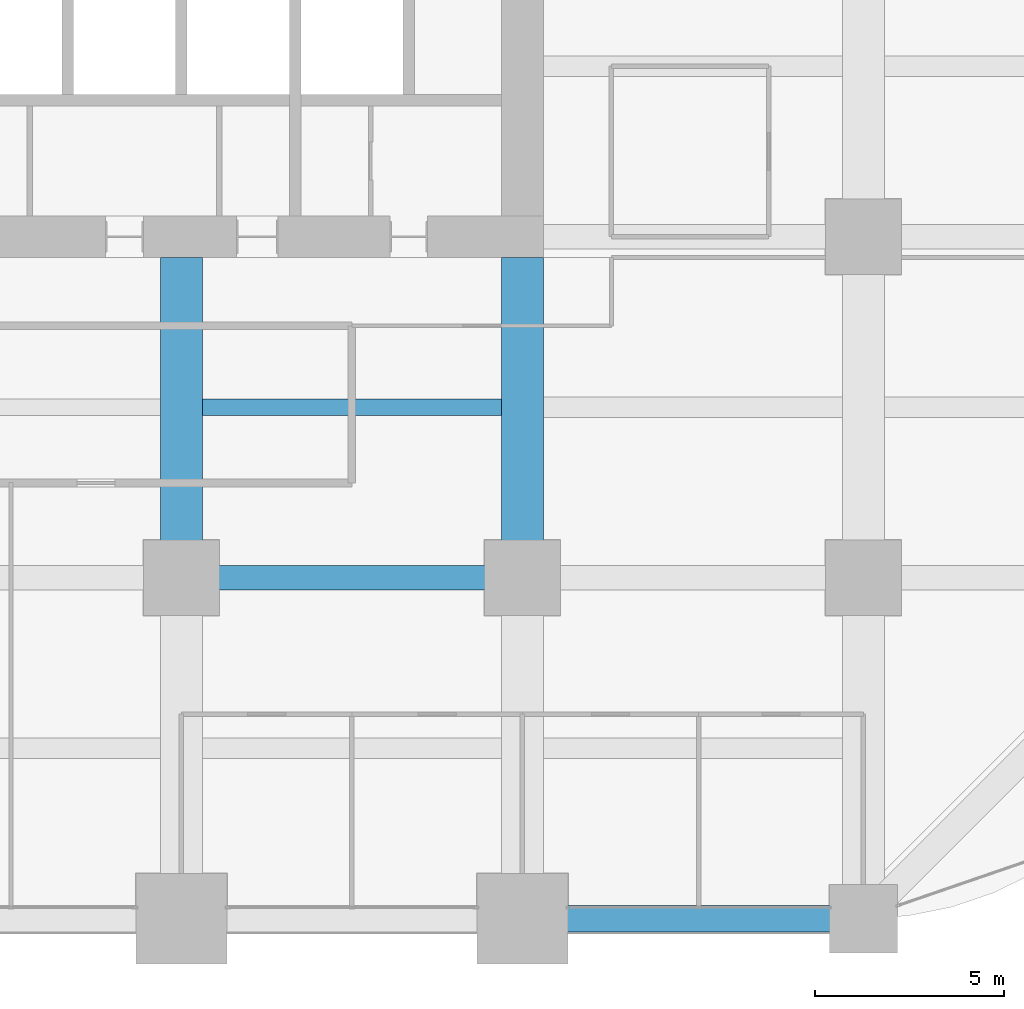
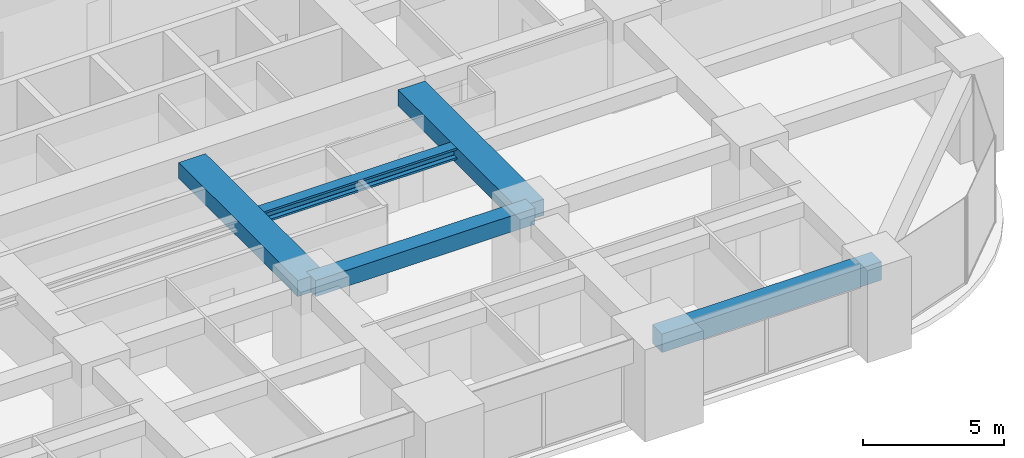
# One storey, part 15 of 41: 5 beams.
"""IFC4 building model written with IfcOpenShell, lengths in metres."""

import ifcopenshell
import ifcopenshell.guid

model = None  # the IFC model being written
_history = None  # IfcOwnerHistory: only IFC2X3 demands one
_inside = {}  # id of a spatial element -> (the spatial element, [elements in it])
_under = {}  # id of a project, library or spatial element -> (it, [spatial elements below it])
_declared = {}  # id of a project -> (the project, [libraries it declares])
_typed = {}  # id of a type object -> (the type object, [elements of that type])
_made_of = {}  # id of a material, layer set ... -> (it, [elements and type objects made of it])


def new_model(schema):
    """Start an empty IFC model of exactly this schema.

    Asked for "IFC4X3", IfcOpenShell would pick the latest addendum, in which some entities
    have other attributes; the version numbers below select the first issue.
    IFC2X3 requires an IfcOwnerHistory on every rooted entity: one is made here for all.
    """
    global model, _history
    if schema == "IFC4X3":
        model = ifcopenshell.file(schema_version=(4, 3, 0, 0))
    else:
        model = ifcopenshell.file(schema=schema)
    _inside.clear()
    _under.clear()
    _declared.clear()
    _typed.clear()
    _made_of.clear()
    _history = None
    if model.schema == "IFC2X3":
        org = make("IfcOrganization", Name="unknown")
        user = make(
            "IfcPersonAndOrganization",
            ThePerson=make("IfcPerson", FamilyName="unknown"),
            TheOrganization=org,
        )
        app = make(
            "IfcApplication",
            ApplicationDeveloper=org,
            Version="unknown",
            ApplicationFullName="unknown",
            ApplicationIdentifier="unknown",
        )
        _history = make(
            "IfcOwnerHistory",
            OwningUser=user,
            OwningApplication=app,
            ChangeAction="ADDED",
            CreationDate=0,
        )
    return model


def make(cls, **values):
    """One entity of the class cls with the attributes given. An attribute that is None is left unset."""
    return model.create_entity(
        cls, **{name: value for name, value in values.items() if value is not None}
    )


def rooted(cls, **values):
    """An entity with a GlobalId (a new one), such as an element, a storey or a relation."""
    return make(cls, GlobalId=ifcopenshell.guid.new(), OwnerHistory=_history, **values)


def si_unit(unit_type, name, prefix=None):
    """IfcSIUnit, for example si_unit("LENGTHUNIT", "METRE", prefix="MILLI")."""
    return make("IfcSIUnit", UnitType=unit_type, Prefix=prefix, Name=name)


def assignment(units):
    """IfcUnitAssignment: the units of a project."""
    return None if units is None else make("IfcUnitAssignment", Units=units)


def point(xyz):
    """IfcCartesianPoint."""
    return None if xyz is None else make("IfcCartesianPoint", Coordinates=xyz)


def direction(xyz):
    """IfcDirection."""
    return None if xyz is None else make("IfcDirection", DirectionRatios=xyz)


def frame(location, z_axis=None, x_axis=None):
    """IfcAxis2Placement3D, a coordinate frame: its origin and axes. An axis left out is left unset."""
    return make(
        "IfcAxis2Placement3D",
        Location=point(location),
        Axis=direction(z_axis),
        RefDirection=direction(x_axis),
    )


def frame_2d(location, x_axis=None):
    """IfcAxis2Placement2D, a coordinate frame in the plane: its origin and x axis."""
    return make(
        "IfcAxis2Placement2D", Location=point(location), RefDirection=direction(x_axis)
    )


def origin():
    """The frame at (0, 0, 0) with its axes left unset."""
    return frame((0.0, 0.0, 0.0))


def origin_2d():
    """The frame at (0, 0) in the plane with its x axis left unset."""
    return frame_2d((0.0, 0.0))


def place(relative_to, where):
    """IfcLocalPlacement: puts the frame where relative to a parent placement (None: the world)."""
    return make(
        "IfcLocalPlacement", PlacementRelTo=relative_to, RelativePlacement=where
    )


def context(
    kind, dimensions, precision=None, world=None, true_north=None, identifier=None
):
    """IfcGeometricRepresentationContext, for example the 3D "Model" context."""
    return make(
        "IfcGeometricRepresentationContext",
        ContextIdentifier=identifier,
        ContextType=kind,
        CoordinateSpaceDimension=dimensions,
        Precision=precision,
        WorldCoordinateSystem=world,
        TrueNorth=true_north,
    )


def subcontext(parent, identifier, kind, view, scale=None):
    """IfcGeometricRepresentationSubContext, for example "Body" below "Model"."""
    return make(
        "IfcGeometricRepresentationSubContext",
        ContextIdentifier=identifier,
        ContextType=kind,
        ParentContext=parent,
        TargetScale=scale,
        TargetView=view,
    )


def project(units=None, contexts=None):
    """IfcProject with its units and contexts."""
    return rooted(
        "IfcProject",
        Name="project",
        RepresentationContexts=contexts,
        UnitsInContext=assignment(units),
    )


def spatial(cls, under=None, at=None, **own):
    """A site, building, storey or space (cls), placed at a placement, below another one or the project."""
    s = rooted(cls, ObjectPlacement=at, **own)
    if under is not None:
        _under.setdefault(under.id(), (under, []))[1].append(s)
    return s


def profile(cls, at=None, kind="AREA", **sizes):
    """A parametric profile (cls). Its sizes go by their IFC names, for example OverallWidth=200.0."""
    return make(cls, ProfileType=kind, Position=at, **sizes)


def rectangle(**sizes):
    """IfcRectangleProfileDef."""
    return profile("IfcRectangleProfileDef", **sizes)


def i_section(**sizes):
    """IfcIShapeProfileDef."""
    return profile("IfcIShapeProfileDef", **sizes)


def extrude(swept, where, along, depth):
    """IfcExtrudedAreaSolid: the profile swept, set in the frame where, extruded along a direction by depth."""
    return make(
        "IfcExtrudedAreaSolid",
        SweptArea=swept,
        Position=where,
        ExtrudedDirection=direction(along),
        Depth=depth,
    )


def shape(context_of_items, identifier, shape_type, items):
    """IfcShapeRepresentation: the items that make up one representation, for example the "Body"."""
    return make(
        "IfcShapeRepresentation",
        ContextOfItems=context_of_items,
        RepresentationIdentifier=identifier,
        RepresentationType=shape_type,
        Items=items,
    )


def material(Name=None, Category=None):
    """IfcMaterial."""
    return make("IfcMaterial", Name=Name, Category=Category)


def material_profile(
    of_material, cross_section, Name=None, Category=None, Priority=None
):
    """IfcMaterialProfile: a cross section and its material."""
    return make(
        "IfcMaterialProfile",
        Name=Name,
        Material=of_material,
        Profile=cross_section,
        Priority=Priority,
        Category=Category,
    )


def profile_set(profiles, Name=None, composite=None):
    """IfcMaterialProfileSet."""
    return make(
        "IfcMaterialProfileSet",
        Name=Name,
        MaterialProfiles=profiles,
        CompositeProfile=composite,
    )


def made_of(thing, what):
    """Note that an element or type object is made of a material, layer set ...; save() writes the relation."""
    if what is not None:
        _made_of.setdefault(what.id(), (what, []))[1].append(thing)
    return thing


def type_object(cls, material=None, **own):
    """A type object (cls), such as IfcWallType, which elements share."""
    return made_of(rooted(cls, **own), material)


def element(
    cls,
    number,
    at=None,
    inside=None,
    cuts=None,
    type_object=None,
    material=None,
    context=None,
    identifier="Body",
    shape_type=None,
    held_by="IfcProductDefinitionShape",
    body=None,
    shapes=None,
    **own,
):
    """One element of the class cls, such as IfcWall. Its Tag is "e" and its number.

    at: its placement. inside: the storey or other place that contains it. cuts: it is an
    opening in that element (IfcRelVoidsElement). A single representation is given by context,
    identifier, shape_type and body (its items); several are given by shapes. held_by: the class
    of the entity that holds the representations. save() writes the other relations.
    """
    e = rooted(cls, Tag="e%d" % number, ObjectPlacement=at, **own)
    if body is not None:
        shapes = [shape(context, identifier, shape_type, body)]
    if shapes is not None:
        e.Representation = make(held_by, Representations=shapes)
    if inside is not None:
        _inside.setdefault(inside.id(), (inside, []))[1].append(e)
    if cuts is not None:
        rooted(
            "IfcRelVoidsElement", RelatingBuildingElement=cuts, RelatedOpeningElement=e
        )
    if type_object is not None:
        _typed.setdefault(type_object.id(), (type_object, []))[1].append(e)
    return made_of(e, material)


def aggregate(whole, parts):
    """IfcRelAggregates: a whole, such as a stair, and the parts it consists of."""
    return rooted("IfcRelAggregates", RelatingObject=whole, RelatedObjects=parts)


def save(model, path):
    """Write the relations noted so far, then the file.

    IfcRelAggregates (storeys below a building ...), IfcRelContainedInSpatialStructure (elements
    in a storey), IfcRelDefinesByType, IfcRelAssociatesMaterial and IfcRelDeclares: one each for
    every whole, place, type object, material and project.
    """
    for whole, parts in _under.values():
        aggregate(whole, parts)
    for where, things in _inside.values():
        rooted(
            "IfcRelContainedInSpatialStructure",
            RelatedElements=things,
            RelatingStructure=where,
        )
    for kind, things in _typed.values():
        rooted("IfcRelDefinesByType", RelatedObjects=things, RelatingType=kind)
    for what, things in _made_of.values():
        rooted("IfcRelAssociatesMaterial", RelatedObjects=things, RelatingMaterial=what)
    for by, libraries in _declared.values():
        rooted("IfcRelDeclares", RelatingContext=by, RelatedDefinitions=libraries)
    model.write(path)


model = new_model("IFC4")

# Units and contexts
model_context = context("Model", 3, precision=1e-05, world=origin(), true_north=direction((0.0, 1.0)))
body_context = subcontext(model_context, "Body", "Model", "MODEL_VIEW")
ifc_project = project(units=[si_unit("LENGTHUNIT", "METRE"), si_unit("AREAUNIT", "SQUARE_METRE"), si_unit("VOLUMEUNIT", "CUBIC_METRE"), si_unit("PLANEANGLEUNIT", "RADIAN"), si_unit("MASSUNIT", "GRAM", prefix="KILO")], contexts=[model_context])

# Site, building, storey
site_placement = place(None, origin())
site = spatial("IfcSite", under=ifc_project, at=site_placement, CompositionType="ELEMENT")
building_placement = place(site_placement, origin())
building = spatial("IfcBuilding", under=site, at=building_placement, Name="Zorevar Civic Tower", CompositionType="ELEMENT")
storey_placement = place(building_placement, frame((0.0, 0.0, 101.0)))
storey = spatial("IfcBuildingStorey", under=building, at=storey_placement, Name="L24", CompositionType="ELEMENT", Elevation=101.0)

# Beams
ifc_material_1 = material(Name="Concrete C50/60", Category="concrete")
ifc_material_profile_1 = material_profile(ifc_material_1, rectangle(XDim=1.10009765625, YDim=0.699951171875, at=origin_2d()), Name="RC 1100x700")
ifc_profile_set_1 = profile_set([ifc_material_profile_1], Name="Concrete C50/60")
beam_type_1 = type_object("IfcBeamType", Name="Beam RC 1100x700", PredefinedType="BEAM", material=ifc_profile_set_1)
for number, where, z_axis, x_axis, name in (
    (1, (36.0, 9.0, 3.39990234375), (0.0, 1.0, 0.0), (-1.0, 0.0, 0.0), "Girder L25"),
    (2, (45.0, 9.0, 3.39990234375), (0.0, 1.0, 0.0), (-1.0, 0.0, 0.0), "Girder L25"),
):
    element("IfcBeam", number, at=place(storey_placement, frame(where, z_axis=z_axis, x_axis=x_axis)), inside=storey, type_object=beam_type_1, Name=name, PredefinedType="BEAM", context=body_context, shape_type="SweptSolid", body=[
        extrude(rectangle(XDim=1.10009765625, YDim=0.699951171875, at=origin_2d()), origin(), (0.0, 0.0, 1.0), 8.449951171875),
    ])
ifc_material_2 = material(Name="Concrete C50/60", Category="concrete")
ifc_material_profile_2 = material_profile(ifc_material_2, rectangle(XDim=0.64990234375, YDim=0.699951171875, at=origin_2d()), Name="RC 650x700")
ifc_profile_set_2 = profile_set([ifc_material_profile_2], Name="Concrete C50/60")
beam_type_2 = type_object("IfcBeamType", Name="Beam RC 650x700", PredefinedType="BEAM", material=ifc_profile_set_2)
beam_1_placement = place(storey_placement, frame((36.0, 9.0, 3.39990234375), z_axis=(1.0, 0.0, 0.0), x_axis=(0.0, 1.0, 0.0)))
element("IfcBeam", 3, at=beam_1_placement, inside=storey, type_object=beam_type_2, Name="Girder L25", PredefinedType="BEAM", context=body_context, shape_type="SweptSolid", body=[
    extrude(rectangle(XDim=0.64990234375, YDim=0.699951171875, at=origin_2d()), origin(), (0.0, 0.0, 1.0), 9.0),
])
ifc_material_3 = material(Name="Steel S460M (HISTAR 460)", Category="steel")
ifc_material_profile_3 = material_profile(ifc_material_3, i_section(OverallWidth=0.431884765625, OverallDepth=0.498046875, WebThickness=0.0556640625, FlangeThickness=0.0888671875, FilletRadius=0.014892578125, at=origin_2d()), Name="HD 400x744")
ifc_profile_set_3 = profile_set([ifc_material_profile_3], Name="Steel S460M (HISTAR 460)")
beam_type_3 = type_object("IfcBeamType", Name="Core bay beam HD 400x744", PredefinedType="BEAM", material=ifc_profile_set_3)
beam_2_placement = place(storey_placement, frame((36.550048828125, 13.5, 3.5009765625), z_axis=(1.0, 0.0, 0.0), x_axis=(0.0, 1.0, 0.0)))
element("IfcBeam", 4, at=beam_2_placement, inside=storey, type_object=beam_type_3, Name="Secondary beam L25", PredefinedType="BEAM", context=body_context, shape_type="SweptSolid", body=[
    extrude(i_section(OverallWidth=0.431884765625, OverallDepth=0.498046875, WebThickness=0.0556640625, FlangeThickness=0.0888671875, FilletRadius=0.014892578125, at=origin_2d()), origin(), (0.0, 0.0, 1.0), 7.89990234375),
])
ifc_material_4 = material(Name="Concrete C50/60", Category="concrete")
ifc_material_profile_4 = material_profile(ifc_material_4, rectangle(XDim=0.699951171875, YDim=0.800048828125, at=origin_2d()), Name="RC 700x800")
ifc_profile_set_4 = profile_set([ifc_material_profile_4], Name="Concrete C50/60")
beam_type_4 = type_object("IfcBeamType", Name="Edge beam RC 700x800", PredefinedType="SPANDREL", material=ifc_profile_set_4)
beam_3_placement = place(storey_placement, frame((45.0, 0.0, 3.35009765625), z_axis=(1.0, 0.0, 0.0), x_axis=(0.0, 1.0, 0.0)))
element("IfcBeam", 5, at=beam_3_placement, inside=storey, type_object=beam_type_4, Name="Edge beam L25", PredefinedType="SPANDREL", context=body_context, shape_type="SweptSolid", body=[
    extrude(rectangle(XDim=0.699951171875, YDim=0.800048828125, at=origin_2d()), origin(), (0.0, 0.0, 1.0), 9.0),
])

save(model, "model.ifc")
